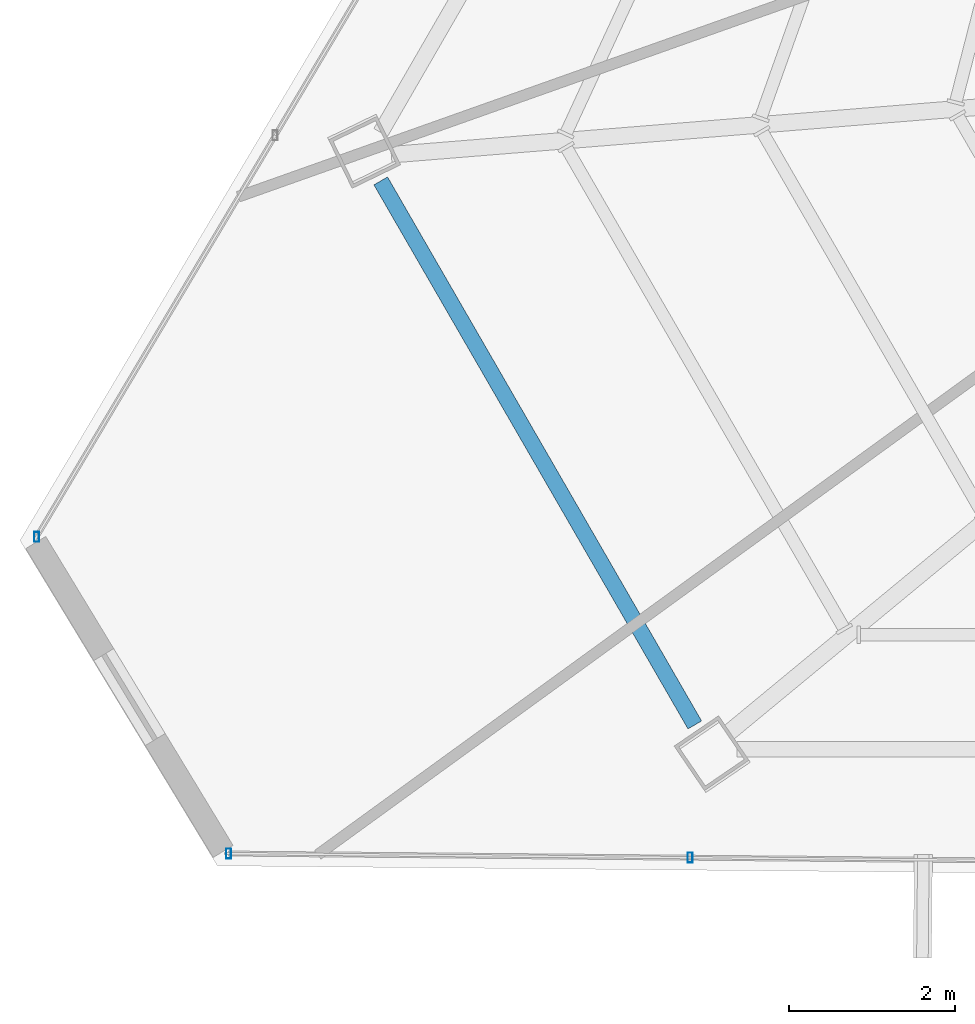
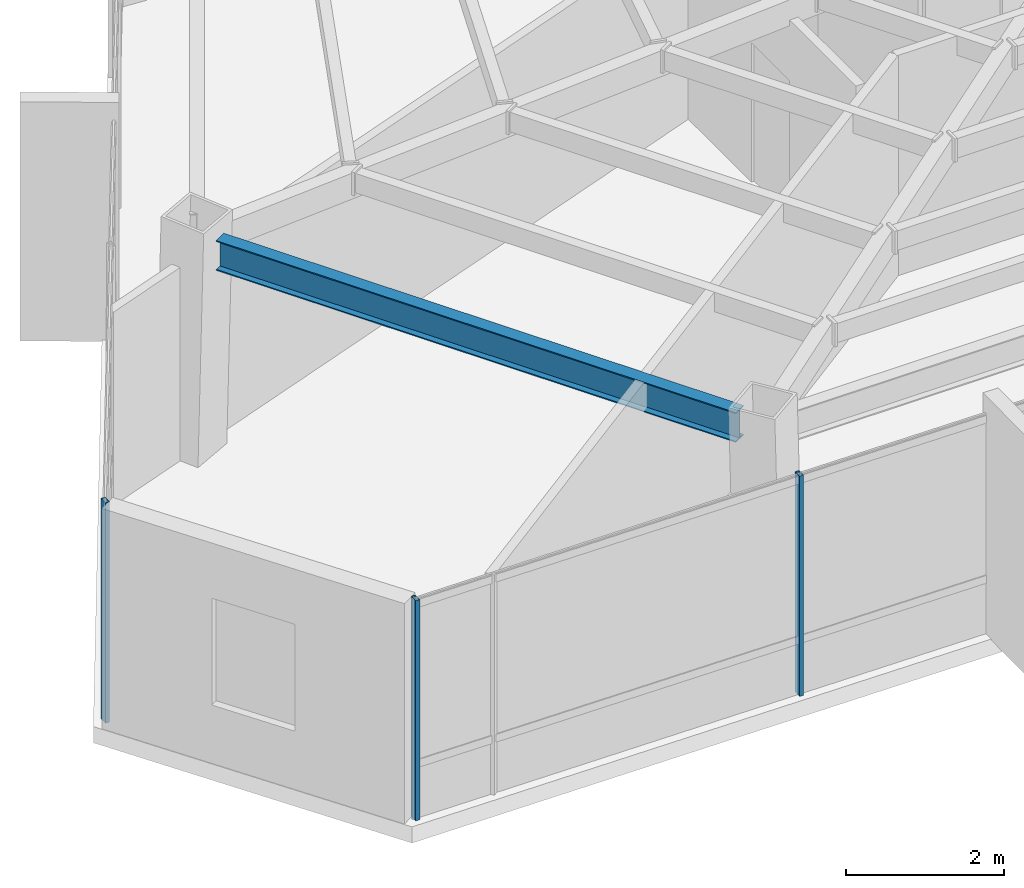
# One storey, part 3 of 45: 3 members, 1 beam, 2 elements without a shape of their own.
"""IFC4 building model written with IfcOpenShell, lengths in metres."""

from ifc_helpers import new_model, si_unit, direction, frame, origin, origin_2d, place, context, subcontext, project, spatial, hollow_rectangle, i_section, extrude, source, transform, mapped, material, material_profile, profile_set, type_object, type_shapes, element, aggregate, save


model = new_model("IFC4")

# Units and contexts
model_context = context("Model", 3, precision=1e-05, world=origin(), true_north=direction((0.0, 1.0)))
body_context = subcontext(model_context, "Body", "Model", "MODEL_VIEW")
ifc_project = project(units=[si_unit("LENGTHUNIT", "METRE"), si_unit("AREAUNIT", "SQUARE_METRE"), si_unit("VOLUMEUNIT", "CUBIC_METRE"), si_unit("PLANEANGLEUNIT", "RADIAN"), si_unit("MASSUNIT", "GRAM", prefix="KILO")], contexts=[model_context])

# Site, building, storey
site_placement = place(None, origin())
site = spatial("IfcSite", under=ifc_project, at=site_placement, CompositionType="ELEMENT")
building_placement = place(site_placement, origin())
building = spatial("IfcBuilding", under=site, at=building_placement, Name="Caelisora Broadcast Tower", CompositionType="ELEMENT")
storey_placement = place(building_placement, frame((0.0, 0.0, 240.800048828125)))
storey = spatial("IfcBuildingStorey", under=building, at=storey_placement, Name="L63", CompositionType="ELEMENT", Elevation=240.800048828125)

# Beam
ifc_material_1 = material(Name="Steel Grade 350 (AS/NZS 3679.1)", Category="steel")
ifc_material_profile_1 = material_profile(ifc_material_1, i_section(OverallWidth=0.19091796875, OverallDepth=0.46044921875, WebThickness=0.010009765625, FlangeThickness=0.01611328125, at=origin_2d()), Name="Steel Grade 350 (AS/NZS 3679.1)")
ifc_profile_set_1 = profile_set([ifc_material_profile_1], Name="Steel Grade 350 (AS/NZS 3679.1)")
beam_type = type_object("IfcBeamType", Name="PG06", PredefinedType="BEAM", material=ifc_profile_set_1)
shared_shape_1 = source(origin(), body_context, "Body", "SweptSolid", [
    extrude(i_section(OverallWidth=0.19091796875, OverallDepth=0.46044921875, WebThickness=0.010009765625, FlangeThickness=0.01611328125, at=origin_2d()), origin(), (0.0, 0.0, 1.0), 7.5869140625),
])
type_shapes(beam_type, [shared_shape_1])
beam_placement = place(storey_placement, frame((16.484619140625, 15.95849609375, 3.169677734375), z_axis=(0.499994502366, -0.866028577821, 0.0), x_axis=(0.866028577821, 0.499994502366, 0.0)))
element("IfcBeam", 1, at=beam_placement, inside=storey, type_object=beam_type, Name="L63 beam PG06", PredefinedType="BEAM", context=body_context, shape_type="MappedRepresentation", body=[
    mapped(shared_shape_1, transform((0.0, 0.0, 0.0), scale=1.0)),
])

# Curtain wall, members
ifc_material_2 = material(Name="Unitised Aluminium and Low-E Glass Curtain Wall", Category="glass")
curtain_wall_type = type_object("IfcCurtainWallType", Name="CW-Z5", PredefinedType="NOTDEFINED", material=ifc_material_2)
curtain_wall_1_placement = place(storey_placement, origin())
curtain_wall_1 = element("IfcCurtainWall", 2, at=curtain_wall_1_placement, inside=storey, type_object=curtain_wall_type, Name="L63 curtain wall CW-Z5", PredefinedType="NOTDEFINED")
ifc_material_3 = material(Name="Aluminium 6063-T6 Anodised Terracotta Bronze", Category="aluminium")
ifc_material_profile_2 = material_profile(ifc_material_3, hollow_rectangle(XDim=0.06005859375, YDim=0.1201171875, WallThickness=0.0029296875, at=origin_2d()), Name="Aluminium 6063-T6 Anodised Terracotta Bronze")
ifc_profile_set_2 = profile_set([ifc_material_profile_2], Name="Aluminium 6063-T6 Anodised Terracotta Bronze")
member_type = type_object("IfcMemberType", Name="CWM-04", PredefinedType="MULLION", material=ifc_profile_set_2)
shared_shape_2 = source(origin(), body_context, "Body", "SweptSolid", [
    extrude(hollow_rectangle(XDim=0.06005859375, YDim=0.1201171875, WallThickness=0.0029296875, at=origin_2d()), origin(), (0.0, 0.0, 1.0), 3.39990234375),
])
type_shapes(member_type, [shared_shape_2])
member_1_placement = place(storey_placement, frame((20.222412109375, 7.784423828125, 0.0), z_axis=(0.0, 0.0, 1.0), x_axis=(1.0, 0.0, 0.0)))
member_1 = element("IfcMember", 3, at=member_1_placement, type_object=member_type, Name="L63-CW-B07 mullion #2", PredefinedType="MULLION", context=body_context, shape_type="MappedRepresentation", body=[
    mapped(shared_shape_2, transform((0.0, 0.0, 0.0), scale=1.0)),
])
member_2_placement = place(storey_placement, frame((14.64697265625, 7.834716796875, 0.0), z_axis=(0.0, 0.0, 1.0), x_axis=(1.0, 0.0, 0.0)))
member_2 = element("IfcMember", 4, at=member_2_placement, type_object=member_type, Name="L63-CW-B07 mullion #3", PredefinedType="MULLION", context=body_context, shape_type="MappedRepresentation", body=[
    mapped(shared_shape_2, transform((0.0, 0.0, 0.0), scale=1.0)),
])
aggregate(curtain_wall_1, [member_1, member_2])

# Curtain wall, member
curtain_wall_2_placement = place(storey_placement, origin())
curtain_wall_2 = element("IfcCurtainWall", 5, at=curtain_wall_2_placement, inside=storey, type_object=curtain_wall_type, Name="L63 curtain wall CW-Z5", PredefinedType="NOTDEFINED")
member_3_placement = place(storey_placement, frame((12.32861328125, 11.659912109375, 0.0), z_axis=(0.0, 0.0, 1.0), x_axis=(1.0, 0.0, 0.0)))
member_3 = element("IfcMember", 6, at=member_3_placement, type_object=member_type, Name="L63-CW-B09 mullion #0", PredefinedType="MULLION", context=body_context, shape_type="MappedRepresentation", body=[
    mapped(shared_shape_2, transform((0.0, 0.0, 0.0), scale=1.0)),
])
aggregate(curtain_wall_2, [member_3])

save(model, "model.ifc")
